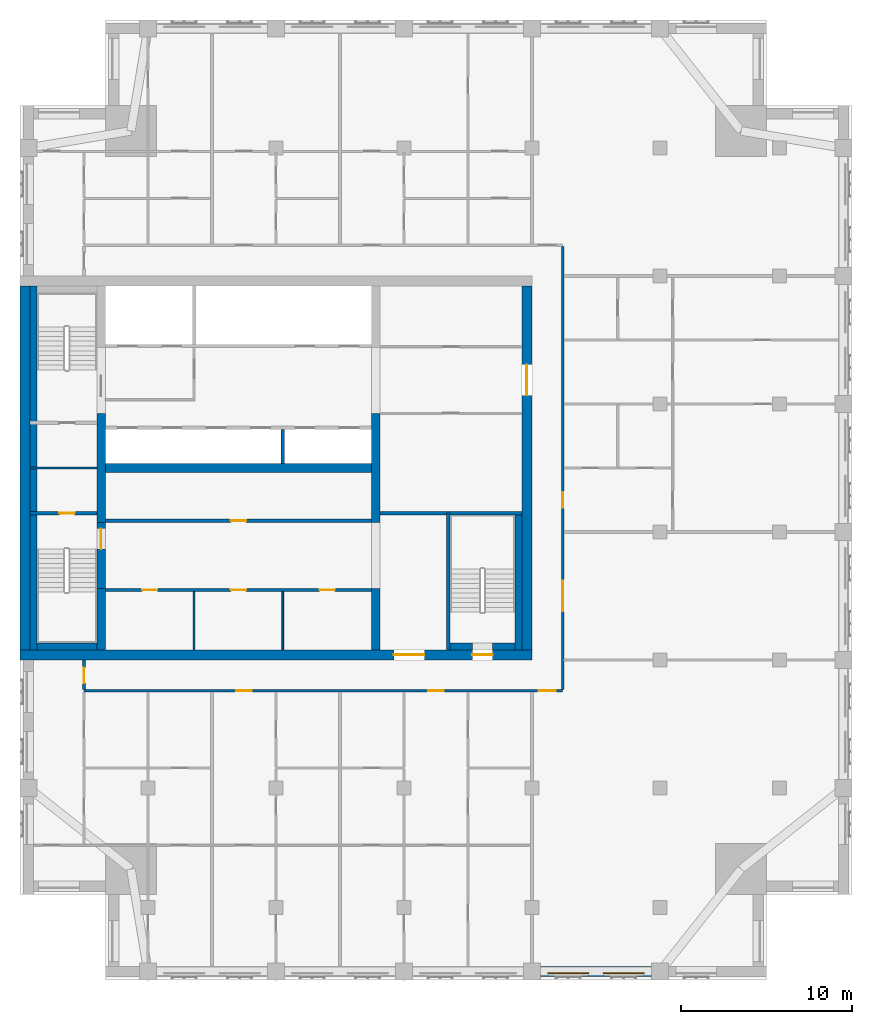
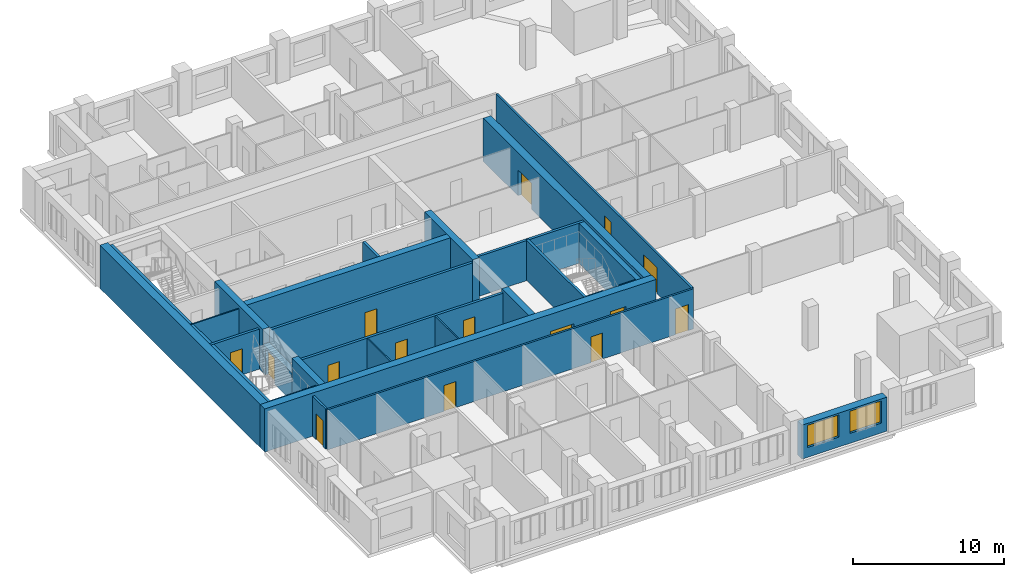
# One storey, part 4 of 10: 27 walls, 15 doors, 2 windows, 17 openings.
"""IFC4 building model written with IfcOpenShell, lengths in metres."""

import ifcopenshell
import ifcopenshell.guid

model = None  # the IFC model being written
_history = None  # IfcOwnerHistory: only IFC2X3 demands one
_inside = {}  # id of a spatial element -> (the spatial element, [elements in it])
_under = {}  # id of a project, library or spatial element -> (it, [spatial elements below it])
_declared = {}  # id of a project -> (the project, [libraries it declares])
_typed = {}  # id of a type object -> (the type object, [elements of that type])
_made_of = {}  # id of a material, layer set ... -> (it, [elements and type objects made of it])


def new_model(schema):
    """Start an empty IFC model of exactly this schema.

    Asked for "IFC4X3", IfcOpenShell would pick the latest addendum, in which some entities
    have other attributes; the version numbers below select the first issue.
    IFC2X3 requires an IfcOwnerHistory on every rooted entity: one is made here for all.
    """
    global model, _history
    if schema == "IFC4X3":
        model = ifcopenshell.file(schema_version=(4, 3, 0, 0))
    else:
        model = ifcopenshell.file(schema=schema)
    _inside.clear()
    _under.clear()
    _declared.clear()
    _typed.clear()
    _made_of.clear()
    _history = None
    if model.schema == "IFC2X3":
        org = make("IfcOrganization", Name="unknown")
        user = make(
            "IfcPersonAndOrganization",
            ThePerson=make("IfcPerson", FamilyName="unknown"),
            TheOrganization=org,
        )
        app = make(
            "IfcApplication",
            ApplicationDeveloper=org,
            Version="unknown",
            ApplicationFullName="unknown",
            ApplicationIdentifier="unknown",
        )
        _history = make(
            "IfcOwnerHistory",
            OwningUser=user,
            OwningApplication=app,
            ChangeAction="ADDED",
            CreationDate=0,
        )
    return model


def make(cls, **values):
    """One entity of the class cls with the attributes given. An attribute that is None is left unset."""
    return model.create_entity(
        cls, **{name: value for name, value in values.items() if value is not None}
    )


def rooted(cls, **values):
    """An entity with a GlobalId (a new one), such as an element, a storey or a relation."""
    return make(cls, GlobalId=ifcopenshell.guid.new(), OwnerHistory=_history, **values)


def si_unit(unit_type, name, prefix=None):
    """IfcSIUnit, for example si_unit("LENGTHUNIT", "METRE", prefix="MILLI")."""
    return make("IfcSIUnit", UnitType=unit_type, Prefix=prefix, Name=name)


def assignment(units):
    """IfcUnitAssignment: the units of a project."""
    return None if units is None else make("IfcUnitAssignment", Units=units)


def point(xyz):
    """IfcCartesianPoint."""
    return None if xyz is None else make("IfcCartesianPoint", Coordinates=xyz)


def direction(xyz):
    """IfcDirection."""
    return None if xyz is None else make("IfcDirection", DirectionRatios=xyz)


def frame(location, z_axis=None, x_axis=None):
    """IfcAxis2Placement3D, a coordinate frame: its origin and axes. An axis left out is left unset."""
    return make(
        "IfcAxis2Placement3D",
        Location=point(location),
        Axis=direction(z_axis),
        RefDirection=direction(x_axis),
    )


def frame_2d(location, x_axis=None):
    """IfcAxis2Placement2D, a coordinate frame in the plane: its origin and x axis."""
    return make(
        "IfcAxis2Placement2D", Location=point(location), RefDirection=direction(x_axis)
    )


def origin():
    """The frame at (0, 0, 0) with its axes left unset."""
    return frame((0.0, 0.0, 0.0))


def place(relative_to, where):
    """IfcLocalPlacement: puts the frame where relative to a parent placement (None: the world)."""
    return make(
        "IfcLocalPlacement", PlacementRelTo=relative_to, RelativePlacement=where
    )


def context(
    kind, dimensions, precision=None, world=None, true_north=None, identifier=None
):
    """IfcGeometricRepresentationContext, for example the 3D "Model" context."""
    return make(
        "IfcGeometricRepresentationContext",
        ContextIdentifier=identifier,
        ContextType=kind,
        CoordinateSpaceDimension=dimensions,
        Precision=precision,
        WorldCoordinateSystem=world,
        TrueNorth=true_north,
    )


def subcontext(parent, identifier, kind, view, scale=None):
    """IfcGeometricRepresentationSubContext, for example "Body" below "Model"."""
    return make(
        "IfcGeometricRepresentationSubContext",
        ContextIdentifier=identifier,
        ContextType=kind,
        ParentContext=parent,
        TargetScale=scale,
        TargetView=view,
    )


def project(units=None, contexts=None):
    """IfcProject with its units and contexts."""
    return rooted(
        "IfcProject",
        Name="project",
        RepresentationContexts=contexts,
        UnitsInContext=assignment(units),
    )


def spatial(cls, under=None, at=None, **own):
    """A site, building, storey or space (cls), placed at a placement, below another one or the project."""
    s = rooted(cls, ObjectPlacement=at, **own)
    if under is not None:
        _under.setdefault(under.id(), (under, []))[1].append(s)
    return s


def profile(cls, at=None, kind="AREA", **sizes):
    """A parametric profile (cls). Its sizes go by their IFC names, for example OverallWidth=200.0."""
    return make(cls, ProfileType=kind, Position=at, **sizes)


def rectangle(**sizes):
    """IfcRectangleProfileDef."""
    return profile("IfcRectangleProfileDef", **sizes)


def extrude(swept, where, along, depth):
    """IfcExtrudedAreaSolid: the profile swept, set in the frame where, extruded along a direction by depth."""
    return make(
        "IfcExtrudedAreaSolid",
        SweptArea=swept,
        Position=where,
        ExtrudedDirection=direction(along),
        Depth=depth,
    )


def shape(context_of_items, identifier, shape_type, items):
    """IfcShapeRepresentation: the items that make up one representation, for example the "Body"."""
    return make(
        "IfcShapeRepresentation",
        ContextOfItems=context_of_items,
        RepresentationIdentifier=identifier,
        RepresentationType=shape_type,
        Items=items,
    )


def material(Name=None, Category=None):
    """IfcMaterial."""
    return make("IfcMaterial", Name=Name, Category=Category)


def layer(
    of_material, thickness, ventilated=None, Name=None, Category=None, Priority=None
):
    """IfcMaterialLayer: one layer of a wall or slab, of a material (None: an air gap)."""
    return make(
        "IfcMaterialLayer",
        Material=of_material,
        LayerThickness=thickness,
        IsVentilated=ventilated,
        Name=Name,
        Category=Category,
        Priority=Priority,
    )


def layer_set(layers, Name=None):
    """IfcMaterialLayerSet."""
    return make("IfcMaterialLayerSet", MaterialLayers=layers, LayerSetName=Name)


def made_of(thing, what):
    """Note that an element or type object is made of a material, layer set ...; save() writes the relation."""
    if what is not None:
        _made_of.setdefault(what.id(), (what, []))[1].append(thing)
    return thing


def type_object(cls, material=None, **own):
    """A type object (cls), such as IfcWallType, which elements share."""
    return made_of(rooted(cls, **own), material)


def element(
    cls,
    number,
    at=None,
    inside=None,
    cuts=None,
    type_object=None,
    material=None,
    context=None,
    identifier="Body",
    shape_type=None,
    held_by="IfcProductDefinitionShape",
    body=None,
    shapes=None,
    **own,
):
    """One element of the class cls, such as IfcWall. Its Tag is "e" and its number.

    at: its placement. inside: the storey or other place that contains it. cuts: it is an
    opening in that element (IfcRelVoidsElement). A single representation is given by context,
    identifier, shape_type and body (its items); several are given by shapes. held_by: the class
    of the entity that holds the representations. save() writes the other relations.
    """
    e = rooted(cls, Tag="e%d" % number, ObjectPlacement=at, **own)
    if body is not None:
        shapes = [shape(context, identifier, shape_type, body)]
    if shapes is not None:
        e.Representation = make(held_by, Representations=shapes)
    if inside is not None:
        _inside.setdefault(inside.id(), (inside, []))[1].append(e)
    if cuts is not None:
        rooted(
            "IfcRelVoidsElement", RelatingBuildingElement=cuts, RelatedOpeningElement=e
        )
    if type_object is not None:
        _typed.setdefault(type_object.id(), (type_object, []))[1].append(e)
    return made_of(e, material)


def fill(opening, filler):
    """IfcRelFillsElement: the door or window that sits in an opening."""
    return rooted(
        "IfcRelFillsElement",
        RelatingOpeningElement=opening,
        RelatedBuildingElement=filler,
    )


def aggregate(whole, parts):
    """IfcRelAggregates: a whole, such as a stair, and the parts it consists of."""
    return rooted("IfcRelAggregates", RelatingObject=whole, RelatedObjects=parts)


def save(model, path):
    """Write the relations noted so far, then the file.

    IfcRelAggregates (storeys below a building ...), IfcRelContainedInSpatialStructure (elements
    in a storey), IfcRelDefinesByType, IfcRelAssociatesMaterial and IfcRelDeclares: one each for
    every whole, place, type object, material and project.
    """
    for whole, parts in _under.values():
        aggregate(whole, parts)
    for where, things in _inside.values():
        rooted(
            "IfcRelContainedInSpatialStructure",
            RelatedElements=things,
            RelatingStructure=where,
        )
    for kind, things in _typed.values():
        rooted("IfcRelDefinesByType", RelatedObjects=things, RelatingType=kind)
    for what, things in _made_of.values():
        rooted("IfcRelAssociatesMaterial", RelatedObjects=things, RelatingMaterial=what)
    for by, libraries in _declared.values():
        rooted("IfcRelDeclares", RelatingContext=by, RelatedDefinitions=libraries)
    model.write(path)


model = new_model("IFC4")

# Units and contexts
model_context = context("Model", 3, precision=1e-05, world=origin(), true_north=direction((0.0, 1.0)))
body_context = subcontext(model_context, "Body", "Model", "MODEL_VIEW")
ifc_project = project(units=[si_unit("LENGTHUNIT", "METRE"), si_unit("AREAUNIT", "SQUARE_METRE"), si_unit("VOLUMEUNIT", "CUBIC_METRE"), si_unit("PLANEANGLEUNIT", "RADIAN"), si_unit("MASSUNIT", "GRAM", prefix="KILO")], contexts=[model_context])

# Site, building, storey
site_placement = place(None, origin())
site = spatial("IfcSite", under=ifc_project, at=site_placement, CompositionType="ELEMENT")
building_placement = place(site_placement, origin())
building = spatial("IfcBuilding", under=site, at=building_placement, Name="Tamorin Gate", CompositionType="ELEMENT")
storey_placement = place(building_placement, frame((0.0, 0.0, 223.199951171875)))
storey = spatial("IfcBuildingStorey", under=building, at=storey_placement, Name="L55", CompositionType="ELEMENT", Elevation=223.199951171875)

# Wall, openings, windows
ifc_material_1 = material(Name="Precast concrete C40/50", Category="concrete")
ifc_layer_1 = layer(ifc_material_1, 0.60009765625)
ifc_layer_set_1 = layer_set([ifc_layer_1], Name="Precast concrete C40/50")
wall_type_1 = type_object("IfcWallType", Name="Board-marked concrete facade panel 600", PredefinedType="SOLIDWALL", material=ifc_layer_set_1)
wall_1_placement = place(storey_placement, frame((60.5, 41.75, 0.0), z_axis=(0.0, 0.0, 1.0), x_axis=(1.0, 0.0, 0.0)))
wall_1 = element("IfcWall", 1, at=wall_1_placement, inside=storey, type_object=wall_type_1, Name="Facade panel", PredefinedType="SOLIDWALL", context=body_context, shape_type="SweptSolid", body=[
    extrude(rectangle(XDim=6.5, YDim=0.60009765625, at=frame_2d((3.25, 0.0))), origin(), (0.0, 0.0, 1.0), 2.75),
])
opening_1_placement = place(wall_1_placement, frame((0.425048828125, 0.0, 0.800048828125)))
opening_1 = element("IfcOpeningElement", 2, at=opening_1_placement, cuts=wall_1, Name="Opening WN1", PredefinedType="OPENING", context=body_context, shape_type="SweptSolid", body=[
    extrude(rectangle(XDim=2.39990234375, YDim=1.800048828125, at=frame_2d((1.199951171875, 0.89990234375))), frame((0.0, 0.31005859375, 0.0), z_axis=(0.0, -1.0, 0.0), x_axis=(1.0, 0.0, 0.0)), (0.0, 0.0, 1.0), 0.6201171875),
])
opening_2_placement = place(wall_1_placement, frame((3.675048828125, 0.0, 0.800048828125)))
opening_2 = element("IfcOpeningElement", 3, at=opening_2_placement, cuts=wall_1, Name="Opening WN1", PredefinedType="OPENING", context=body_context, shape_type="SweptSolid", body=[
    extrude(rectangle(XDim=2.39990234375, YDim=1.800048828125, at=frame_2d((1.199951171875, 0.89990234375))), frame((0.0, 0.31005859375, 0.0), z_axis=(0.0, -1.0, 0.0), x_axis=(1.0, 0.0, 0.0)), (0.0, 0.0, 1.0), 0.6201171875),
])
ifc_material_2 = material(Name="Clear glass in aluminium frame", Category="aluminium")
window_type = type_object("IfcWindowType", Name="Deep-set window 2400x1800", PartitioningType="SINGLE_PANEL", PredefinedType="WINDOW", material=ifc_material_2)
window_1_placement = place(opening_1_placement, origin())
window_1 = element("IfcWindow", 4, at=window_1_placement, inside=storey, type_object=window_type, Name="Deep-set window", OverallHeight=1.800048828125, OverallWidth=2.39990234375, PartitioningType="SINGLE_PANEL", PredefinedType="WINDOW", context=body_context, shape_type="SweptSolid", body=[
    extrude(rectangle(XDim=2.39990234375, YDim=1.800048828125, at=frame_2d((1.199951171875, 0.89990234375))), frame((0.0, -0.070068359375, 0.0), z_axis=(0.0, -1.0, 0.0), x_axis=(1.0, 0.0, 0.0)), (0.0, 0.0, 1.0), 0.06005859375),
])
fill(opening_1, window_1)
window_2_placement = place(opening_2_placement, origin())
window_2 = element("IfcWindow", 5, at=window_2_placement, inside=storey, type_object=window_type, Name="Deep-set window", OverallHeight=1.800048828125, OverallWidth=2.39990234375, PartitioningType="SINGLE_PANEL", PredefinedType="WINDOW", context=body_context, shape_type="SweptSolid", body=[
    extrude(rectangle(XDim=2.39990234375, YDim=1.800048828125, at=frame_2d((1.199951171875, 0.89990234375))), frame((0.0, -0.070068359375, 0.0), z_axis=(0.0, -1.0, 0.0), x_axis=(1.0, 0.0, 0.0)), (0.0, 0.0, 1.0), 0.06005859375),
])
fill(opening_2, window_2)

# Wall, openings, doors
ifc_material_3 = material(Name="Gypsum board partition")
ifc_layer_2 = layer(ifc_material_3, 0.14990234375)
ifc_layer_set_2 = layer_set([ifc_layer_2], Name="Corridor wall 150")
wall_type_2 = type_object("IfcWallType", Name="Corridor wall 150", PredefinedType="PARTITIONING", material=ifc_layer_set_2)
wall_2_placement = place(storey_placement, frame((33.75, 58.199951171875, 0.0), z_axis=(0.0, 0.0, 1.0), x_axis=(1.0, 0.0, 0.0)))
wall_2 = element("IfcWall", 6, at=wall_2_placement, inside=storey, type_object=wall_type_2, Name="Corridor wall 150", PredefinedType="PARTITIONING", context=body_context, shape_type="SweptSolid", body=[
    extrude(rectangle(XDim=28.050048828125, YDim=0.14990234375, at=frame_2d((14.02490234375, 0.0))), origin(), (0.0, 0.0, 1.0), 3.25),
])
opening_3_placement = place(wall_2_placement, frame((8.925048828125, 0.0, 0.0)))
opening_3 = element("IfcOpeningElement", 7, at=opening_3_placement, cuts=wall_2, Name="Opening DR5008", PredefinedType="OPENING", context=body_context, shape_type="SweptSolid", body=[
    extrude(rectangle(XDim=0.89990234375, YDim=2.10009765625, at=frame_2d((0.449951171875, 1.050048828125))), frame((0.0, 0.0849609375, 0.0), z_axis=(0.0, -1.0, 0.0), x_axis=(1.0, 0.0, 0.0)), (0.0, 0.0, 1.0), 0.169921875),
])
opening_4_placement = place(wall_2_placement, frame((20.175048828125, 0.0, 0.0)))
opening_4 = element("IfcOpeningElement", 8, at=opening_4_placement, cuts=wall_2, Name="Opening DR5015", PredefinedType="OPENING", context=body_context, shape_type="SweptSolid", body=[
    extrude(rectangle(XDim=0.89990234375, YDim=2.10009765625, at=frame_2d((0.449951171875, 1.050048828125))), frame((0.0, 0.0849609375, 0.0), z_axis=(0.0, -1.0, 0.0), x_axis=(1.0, 0.0, 0.0)), (0.0, 0.0, 1.0), 0.169921875),
])
opening_5_placement = place(wall_2_placement, frame((26.64990234375, 0.0, 0.0)))
opening_5 = element("IfcOpeningElement", 9, at=opening_5_placement, cuts=wall_2, Name="Opening DR5021", PredefinedType="OPENING", context=body_context, shape_type="SweptSolid", body=[
    extrude(rectangle(XDim=1.0, YDim=2.10009765625, at=frame_2d((0.5, 1.050048828125))), frame((0.0, 0.0849609375, 0.0), z_axis=(0.0, -1.0, 0.0), x_axis=(1.0, 0.0, 0.0)), (0.0, 0.0, 1.0), 0.169921875),
])
ifc_material_4 = material(Name="Timber door leaf", Category="wood")
door_type_1 = type_object("IfcDoorType", Name="Door 1000 x 2100 FD30S", OperationType="NOTDEFINED", PredefinedType="DOOR", material=ifc_material_4)
door_1_placement = place(opening_5_placement, origin())
door_1 = element("IfcDoor", 10, at=door_1_placement, inside=storey, type_object=door_type_1, Name="Door DR5021", OperationType="SINGLE_SWING_RIGHT", OverallHeight=2.10009765625, OverallWidth=1.0, PredefinedType="DOOR", context=body_context, shape_type="SweptSolid", body=[
    extrude(rectangle(XDim=1.0, YDim=2.10009765625, at=frame_2d((0.5, 1.050048828125))), frame((0.0, 0.02490234375, 0.0), z_axis=(0.0, -1.0, 0.0), x_axis=(1.0, 0.0, 0.0)), (0.0, 0.0, 1.0), 0.050048828125),
])
fill(opening_5, door_1)
door_type_2 = type_object("IfcDoorType", Name="Door 900 x 2100 FD30S", OperationType="NOTDEFINED", PredefinedType="DOOR", material=ifc_material_4)
door_2_placement = place(opening_3_placement, origin())
door_2 = element("IfcDoor", 11, at=door_2_placement, inside=storey, type_object=door_type_2, Name="Door DR5008", OperationType="SINGLE_SWING_RIGHT", OverallHeight=2.10009765625, OverallWidth=0.89990234375, PredefinedType="DOOR", context=body_context, shape_type="SweptSolid", body=[
    extrude(rectangle(XDim=0.89990234375, YDim=2.10009765625, at=frame_2d((0.449951171875, 1.050048828125))), frame((0.0, 0.02490234375, 0.0), z_axis=(0.0, -1.0, 0.0), x_axis=(1.0, 0.0, 0.0)), (0.0, 0.0, 1.0), 0.050048828125),
])
fill(opening_3, door_2)
door_3_placement = place(opening_4_placement, origin())
door_3 = element("IfcDoor", 12, at=door_3_placement, inside=storey, type_object=door_type_2, Name="Door DR5015", OperationType="SINGLE_SWING_RIGHT", OverallHeight=2.10009765625, OverallWidth=0.89990234375, PredefinedType="DOOR", context=body_context, shape_type="SweptSolid", body=[
    extrude(rectangle(XDim=0.89990234375, YDim=2.10009765625, at=frame_2d((0.449951171875, 1.050048828125))), frame((0.0, 0.02490234375, 0.0), z_axis=(0.0, -1.0, 0.0), x_axis=(1.0, 0.0, 0.0)), (0.0, 0.0, 1.0), 0.050048828125),
])
fill(opening_4, door_3)

# Wall, opening, door
wall_3_placement = place(storey_placement, frame((33.75, 58.27490234375, 0.0), z_axis=(0.0, 0.0, 1.0), x_axis=(0.0, 1.0, 0.0)))
wall_3 = element("IfcWall", 13, at=wall_3_placement, inside=storey, type_object=wall_type_2, Name="Corridor wall 150", PredefinedType="PARTITIONING", context=body_context, shape_type="SweptSolid", body=[
    extrude(rectangle(XDim=1.72509765625, YDim=0.14990234375, at=frame_2d((0.862548828125, 0.0))), origin(), (0.0, 0.0, 1.0), 3.25),
])
opening_6_placement = place(wall_3_placement, frame((0.375, 0.0, 0.0)))
opening_6 = element("IfcOpeningElement", 14, at=opening_6_placement, cuts=wall_3, Name="Opening DR5001", PredefinedType="OPENING", context=body_context, shape_type="SweptSolid", body=[
    extrude(rectangle(XDim=0.89990234375, YDim=2.10009765625, at=frame_2d((0.449951171875, 1.050048828125))), frame((0.0, 0.0849609375, 0.0), z_axis=(0.0, -1.0, 0.0), x_axis=(1.0, 0.0, 0.0)), (0.0, 0.0, 1.0), 0.169921875),
])
door_4_placement = place(opening_6_placement, origin())
door_4 = element("IfcDoor", 15, at=door_4_placement, inside=storey, type_object=door_type_2, Name="Door DR5001", OperationType="SINGLE_SWING_RIGHT", OverallHeight=2.10009765625, OverallWidth=0.89990234375, PredefinedType="DOOR", context=body_context, shape_type="SweptSolid", body=[
    extrude(rectangle(XDim=0.89990234375, YDim=2.10009765625, at=frame_2d((0.449951171875, 1.050048828125))), frame((0.0, 0.02490234375, 0.0), z_axis=(0.0, -1.0, 0.0), x_axis=(1.0, 0.0, 0.0)), (0.0, 0.0, 1.0), 0.050048828125),
])
fill(opening_6, door_4)

# Wall, openings, doors
wall_4_placement = place(storey_placement, frame((61.800048828125, 58.27490234375, 0.0), z_axis=(0.0, 0.0, 1.0), x_axis=(0.0, 1.0, 0.0)))
wall_4 = element("IfcWall", 16, at=wall_4_placement, inside=storey, type_object=wall_type_2, Name="Corridor wall 150", PredefinedType="PARTITIONING", context=body_context, shape_type="SweptSolid", body=[
    extrude(rectangle(XDim=25.9501953125, YDim=0.14990234375, at=frame_2d((12.97509765625, 0.0))), origin(), (0.0, 0.0, 1.0), 3.25),
])
opening_7_placement = place(wall_4_placement, frame((4.574951171875, 0.0, 0.0)))
opening_7 = element("IfcOpeningElement", 17, at=opening_7_placement, cuts=wall_4, Name="Opening DR5041", PredefinedType="OPENING", context=body_context, shape_type="SweptSolid", body=[
    extrude(rectangle(XDim=1.800048828125, YDim=2.10009765625, at=frame_2d((0.89990234375, 1.050048828125))), frame((0.0, 0.0849609375, 0.0), z_axis=(0.0, -1.0, 0.0), x_axis=(1.0, 0.0, 0.0)), (0.0, 0.0, 1.0), 0.169921875),
])
opening_8_placement = place(wall_4_placement, frame((10.64990234375, 0.0, 0.0)))
opening_8 = element("IfcOpeningElement", 18, at=opening_8_placement, cuts=wall_4, Name="Opening DR5042", PredefinedType="OPENING", context=body_context, shape_type="SweptSolid", body=[
    extrude(rectangle(XDim=0.89990234375, YDim=2.10009765625, at=frame_2d((0.449951171875, 1.050048828125))), frame((0.0, 0.0849609375, 0.0), z_axis=(0.0, -1.0, 0.0), x_axis=(1.0, 0.0, 0.0)), (0.0, 0.0, 1.0), 0.169921875),
])
door_type_3 = type_object("IfcDoorType", Name="Door 1800 x 2100 FD30S", OperationType="DOUBLE_DOOR_SINGLE_SWING", PredefinedType="DOOR", material=ifc_material_4)
door_5_placement = place(opening_7_placement, origin())
door_5 = element("IfcDoor", 19, at=door_5_placement, inside=storey, type_object=door_type_3, Name="Door DR5041", OperationType="DOUBLE_DOOR_SINGLE_SWING", OverallHeight=2.10009765625, OverallWidth=1.800048828125, PredefinedType="DOOR", context=body_context, shape_type="SweptSolid", body=[
    extrude(rectangle(XDim=1.800048828125, YDim=2.10009765625, at=frame_2d((0.89990234375, 1.050048828125))), frame((0.0, 0.02490234375, 0.0), z_axis=(0.0, -1.0, 0.0), x_axis=(1.0, 0.0, 0.0)), (0.0, 0.0, 1.0), 0.050048828125),
])
fill(opening_7, door_5)
door_6_placement = place(opening_8_placement, origin())
door_6 = element("IfcDoor", 20, at=door_6_placement, inside=storey, type_object=door_type_2, Name="Door DR5042", OperationType="SINGLE_SWING_RIGHT", OverallHeight=2.10009765625, OverallWidth=0.89990234375, PredefinedType="DOOR", context=body_context, shape_type="SweptSolid", body=[
    extrude(rectangle(XDim=0.89990234375, YDim=2.10009765625, at=frame_2d((0.449951171875, 1.050048828125))), frame((0.0, 0.02490234375, 0.0), z_axis=(0.0, -1.0, 0.0), x_axis=(1.0, 0.0, 0.0)), (0.0, 0.0, 1.0), 0.050048828125),
])
fill(opening_8, door_6)

# Walls
ifc_material_5 = material(Name="Concrete C32/40", Category="concrete")
ifc_layer_3 = layer(ifc_material_5, 0.199951171875)
ifc_layer_set_3 = layer_set([ifc_layer_3], Name="Lift shaft wall 200 EI 120")
wall_type_3 = type_object("IfcWallType", Name="Lift shaft wall 200 EI 120", PredefinedType="SOLIDWALL", material=ifc_layer_set_3)
wall_5_placement = place(storey_placement, frame((45.39990234375, 71.5, 0.0), z_axis=(0.0, 0.0, 1.0), x_axis=(0.0, 1.0, 0.0)))
element("IfcWall", 21, at=wall_5_placement, inside=storey, type_object=wall_type_3, Name="Lift shaft wall", PredefinedType="SOLIDWALL", context=body_context, shape_type="SweptSolid", body=[
    extrude(rectangle(XDim=2.0, YDim=0.199951171875, at=frame_2d((1.0, 0.0))), origin(), (0.0, 0.0, 1.0), 3.5),
])
ifc_material_6 = material(Name="Concrete C50/60", Category="concrete")
ifc_layer_4 = layer(ifc_material_6, 0.5)
ifc_layer_set_4 = layer_set([ifc_layer_4], Name="RC core internal wall 500 C50/60")
wall_type_4 = type_object("IfcWallType", Name="RC core internal wall 500 C50/60", PredefinedType="SHEAR", material=ifc_layer_set_4)
wall_6_placement = place(storey_placement, frame((35.0, 71.25, 0.0), z_axis=(0.0, 0.0, 1.0), x_axis=(1.0, 0.0, 0.0)))
element("IfcWall", 22, at=wall_6_placement, inside=storey, type_object=wall_type_4, Name="Core spine wall L55", PredefinedType="SHEAR", context=body_context, shape_type="SweptSolid", body=[
    extrude(rectangle(XDim=15.60009765625, YDim=0.5, at=frame_2d((7.800048828125, 0.0))), origin(), (0.0, 0.0, 1.0), 3.5),
])
wall_7_placement = place(storey_placement, frame((34.75, 60.60009765625, 0.0), z_axis=(0.0, 0.0, 1.0), x_axis=(0.0, 1.0, 0.0)))
element("IfcWall", 23, at=wall_7_placement, inside=storey, type_object=wall_type_4, Name="Core cross wall L55", PredefinedType="SHEAR", context=body_context, shape_type="SweptSolid", body=[
    extrude(rectangle(XDim=3.599853515625, YDim=0.5, at=frame_2d((1.7998046875, 0.0))), origin(), (0.0, 0.0, 1.0), 3.5),
])
wall_8_placement = place(storey_placement, frame((34.75, 68.050048828125, 0.0), z_axis=(0.0, 0.0, 1.0), x_axis=(0.0, 1.0, 0.0)))
element("IfcWall", 24, at=wall_8_placement, inside=storey, type_object=wall_type_4, Name="Core cross wall L55", PredefinedType="SHEAR", context=body_context, shape_type="SweptSolid", body=[
    extrude(rectangle(XDim=6.39990234375, YDim=0.5, at=frame_2d((3.199951171875, 0.0))), origin(), (0.0, 0.0, 1.0), 3.5),
])
wall_9_placement = place(storey_placement, frame((50.85009765625, 60.60009765625, 0.0), z_axis=(0.0, 0.0, 1.0), x_axis=(0.0, 1.0, 0.0)))
element("IfcWall", 25, at=wall_9_placement, inside=storey, type_object=wall_type_4, Name="Core cross wall L55", PredefinedType="SHEAR", context=body_context, shape_type="SweptSolid", body=[
    extrude(rectangle(XDim=3.599853515625, YDim=0.5, at=frame_2d((1.7998046875, 0.0))), origin(), (0.0, 0.0, 1.0), 3.5),
])
wall_10_placement = place(storey_placement, frame((50.85009765625, 68.050048828125, 0.0), z_axis=(0.0, 0.0, 1.0), x_axis=(0.0, 1.0, 0.0)))
element("IfcWall", 26, at=wall_10_placement, inside=storey, type_object=wall_type_4, Name="Core cross wall L55", PredefinedType="SHEAR", context=body_context, shape_type="SweptSolid", body=[
    extrude(rectangle(XDim=6.39990234375, YDim=0.5, at=frame_2d((3.199951171875, 0.0))), origin(), (0.0, 0.0, 1.0), 3.5),
])

# Wall, openings, doors
ifc_layer_5 = layer(ifc_material_6, 0.60009765625)
ifc_layer_set_5 = layer_set([ifc_layer_5], Name="RC core wall 600 C50/60")
wall_type_5 = type_object("IfcWallType", Name="RC core wall 600 C50/60", PredefinedType="SHEAR", material=ifc_layer_set_5)
wall_11_placement = place(storey_placement, frame((30.0, 60.300048828125, 0.0), z_axis=(0.0, 0.0, 1.0), x_axis=(1.0, 0.0, 0.0)))
wall_11 = element("IfcWall", 27, at=wall_11_placement, inside=storey, type_object=wall_type_5, Name="Core wall L55", PredefinedType="SHEAR", context=body_context, shape_type="SweptSolid", body=[
    extrude(rectangle(XDim=30.0, YDim=0.60009765625, at=frame_2d((15.0, 0.0))), origin(), (0.0, 0.0, 1.0), 3.5),
])
opening_9_placement = place(wall_11_placement, frame((21.89990234375, 0.0, 0.0)))
opening_9 = element("IfcOpeningElement", 28, at=opening_9_placement, cuts=wall_11, Name="Opening DE1", PredefinedType="OPENING", context=body_context, shape_type="SweptSolid", body=[
    extrude(rectangle(XDim=1.800048828125, YDim=2.10009765625, at=frame_2d((0.89990234375, 1.050048828125))), frame((0.0, 0.31005859375, 0.0), z_axis=(0.0, -1.0, 0.0), x_axis=(1.0, 0.0, 0.0)), (0.0, 0.0, 1.0), 0.6201171875),
])
opening_10_placement = place(wall_11_placement, frame((26.5, 0.0, 0.0)))
opening_10 = element("IfcOpeningElement", 29, at=opening_10_placement, cuts=wall_11, Name="Opening DS1", PredefinedType="OPENING", context=body_context, shape_type="SweptSolid", body=[
    extrude(rectangle(XDim=1.199951171875, YDim=2.10009765625, at=frame_2d((0.60009765625, 1.050048828125))), frame((0.0, 0.31005859375, 0.0), z_axis=(0.0, -1.0, 0.0), x_axis=(1.0, 0.0, 0.0)), (0.0, 0.0, 1.0), 0.6201171875),
])
ifc_material_7 = material(Name="Steel fire door", Category="steel")
door_type_4 = type_object("IfcDoorType", Name="Lobby exit double door 1800 x 2100 EI 60", OperationType="DOUBLE_DOOR_SINGLE_SWING", PredefinedType="DOOR", material=ifc_material_7)
door_7_placement = place(opening_9_placement, origin())
door_7 = element("IfcDoor", 30, at=door_7_placement, inside=storey, type_object=door_type_4, Name="Lift lobby A exit door", OperationType="DOUBLE_DOOR_SINGLE_SWING", OverallHeight=2.10009765625, OverallWidth=1.800048828125, PredefinedType="DOOR", context=body_context, shape_type="SweptSolid", body=[
    extrude(rectangle(XDim=1.800048828125, YDim=2.10009765625, at=frame_2d((0.89990234375, 1.050048828125))), frame((0.0, 0.02490234375, 0.0), z_axis=(0.0, -1.0, 0.0), x_axis=(1.0, 0.0, 0.0)), (0.0, 0.0, 1.0), 0.050048828125),
])
fill(opening_9, door_7)
door_type_5 = type_object("IfcDoorType", Name="Stair door 1200 x 2100 EI 90", OperationType="SINGLE_SWING_LEFT", PredefinedType="DOOR", material=ifc_material_7)
door_8_placement = place(opening_10_placement, origin())
door_8 = element("IfcDoor", 31, at=door_8_placement, inside=storey, type_object=door_type_5, Name="ST3 door", OperationType="SINGLE_SWING_LEFT", OverallHeight=2.10009765625, OverallWidth=1.199951171875, PredefinedType="DOOR", context=body_context, shape_type="SweptSolid", body=[
    extrude(rectangle(XDim=1.199951171875, YDim=2.10009765625, at=frame_2d((0.60009765625, 1.050048828125))), frame((0.0, 0.02490234375, 0.0), z_axis=(0.0, -1.0, 0.0), x_axis=(1.0, 0.0, 0.0)), (0.0, 0.0, 1.0), 0.050048828125),
])
fill(opening_10, door_8)

# Wall
wall_12_placement = place(storey_placement, frame((30.300048828125, 60.60009765625, 0.0), z_axis=(0.0, 0.0, 1.0), x_axis=(0.0, 1.0, 0.0)))
element("IfcWall", 32, at=wall_12_placement, inside=storey, type_object=wall_type_5, Name="Core wall L55", PredefinedType="SHEAR", context=body_context, shape_type="SweptSolid", body=[
    extrude(rectangle(XDim=21.2998046875, YDim=0.60009765625, at=frame_2d((10.64990234375, 0.0))), origin(), (0.0, 0.0, 1.0), 3.5),
])

# Wall, opening, door
wall_13_placement = place(storey_placement, frame((59.699951171875, 60.60009765625, 0.0), z_axis=(0.0, 0.0, 1.0), x_axis=(0.0, 1.0, 0.0)))
wall_13 = element("IfcWall", 33, at=wall_13_placement, inside=storey, type_object=wall_type_5, Name="Core wall L55", PredefinedType="SHEAR", context=body_context, shape_type="SweptSolid", body=[
    extrude(rectangle(XDim=21.2998046875, YDim=0.60009765625, at=frame_2d((10.64990234375, 0.0))), origin(), (0.0, 0.0, 1.0), 3.5),
])
opening_11_placement = place(wall_13_placement, frame((14.89990234375, 0.0, 0.0)))
opening_11 = element("IfcOpeningElement", 34, at=opening_11_placement, cuts=wall_13, Name="Opening DE1", PredefinedType="OPENING", context=body_context, shape_type="SweptSolid", body=[
    extrude(rectangle(XDim=1.800048828125, YDim=2.10009765625, at=frame_2d((0.89990234375, 1.050048828125))), frame((0.0, 0.31005859375, 0.0), z_axis=(0.0, -1.0, 0.0), x_axis=(1.0, 0.0, 0.0)), (0.0, 0.0, 1.0), 0.6201171875),
])
door_9_placement = place(opening_11_placement, origin())
door_9 = element("IfcDoor", 35, at=door_9_placement, inside=storey, type_object=door_type_4, Name="Lift lobby B exit door", OperationType="DOUBLE_DOOR_SINGLE_SWING", OverallHeight=2.10009765625, OverallWidth=1.800048828125, PredefinedType="DOOR", context=body_context, shape_type="SweptSolid", body=[
    extrude(rectangle(XDim=1.800048828125, YDim=2.10009765625, at=frame_2d((0.89990234375, 1.050048828125))), frame((0.0, 0.02490234375, 0.0), z_axis=(0.0, -1.0, 0.0), x_axis=(1.0, 0.0, 0.0)), (0.0, 0.0, 1.0), 0.050048828125),
])
fill(opening_11, door_9)

# Wall
ifc_material_8 = material(Name="Fire-rated gypsum board partition")
ifc_layer_6 = layer(ifc_material_8, 0.10009765625)
ifc_layer_set_6 = layer_set([ifc_layer_6], Name="Riser partition 100 EI 120")
wall_type_6 = type_object("IfcWallType", Name="Riser partition 100 EI 120", PredefinedType="PARTITIONING", material=ifc_layer_set_6)
wall_14_placement = place(storey_placement, frame((30.60009765625, 71.25, 0.0), z_axis=(0.0, 0.0, 1.0), x_axis=(1.0, 0.0, 0.0)))
element("IfcWall", 36, at=wall_14_placement, inside=storey, type_object=wall_type_6, Name="Riser partition", PredefinedType="PARTITIONING", context=body_context, shape_type="SweptSolid", body=[
    extrude(rectangle(XDim=3.89990234375, YDim=0.10009765625, at=frame_2d((1.949951171875, 0.0))), origin(), (0.0, 0.0, 1.0), 3.25),
])

# Wall, openings, doors
ifc_layer_7 = layer(ifc_material_3, 0.199951171875)
ifc_layer_set_7 = layer_set([ifc_layer_7], Name="Service room face wall 200 EI 60")
wall_type_7 = type_object("IfcWallType", Name="Service room face wall 200 EI 60", PredefinedType="PARTITIONING", material=ifc_layer_set_7)
wall_15_placement = place(storey_placement, frame((35.0, 64.10009765625, 0.0), z_axis=(0.0, 0.0, 1.0), x_axis=(1.0, 0.0, 0.0)))
wall_15 = element("IfcWall", 37, at=wall_15_placement, inside=storey, type_object=wall_type_7, Name="Service room face wall", PredefinedType="PARTITIONING", context=body_context, shape_type="SweptSolid", body=[
    extrude(rectangle(XDim=15.60009765625, YDim=0.199951171875, at=frame_2d((7.800048828125, 0.0))), origin(), (0.0, 0.0, 1.0), 3.25),
])
opening_12_placement = place(wall_15_placement, frame((2.14990234375, 0.0, 0.0)))
opening_12 = element("IfcOpeningElement", 38, at=opening_12_placement, cuts=wall_15, Name="Opening DK1", PredefinedType="OPENING", context=body_context, shape_type="SweptSolid", body=[
    extrude(rectangle(XDim=0.89990234375, YDim=2.10009765625, at=frame_2d((0.449951171875, 1.050048828125))), frame((0.0, 0.10986328125, 0.0), z_axis=(0.0, -1.0, 0.0), x_axis=(1.0, 0.0, 0.0)), (0.0, 0.0, 1.0), 0.219970703125),
])
opening_13_placement = place(wall_15_placement, frame((7.35009765625, 0.0, 0.0)))
opening_13 = element("IfcOpeningElement", 39, at=opening_13_placement, cuts=wall_15, Name="Opening DK1", PredefinedType="OPENING", context=body_context, shape_type="SweptSolid", body=[
    extrude(rectangle(XDim=0.89990234375, YDim=2.10009765625, at=frame_2d((0.449951171875, 1.050048828125))), frame((0.0, 0.10986328125, 0.0), z_axis=(0.0, -1.0, 0.0), x_axis=(1.0, 0.0, 0.0)), (0.0, 0.0, 1.0), 0.219970703125),
])
opening_14_placement = place(wall_15_placement, frame((12.550048828125, 0.0, 0.0)))
opening_14 = element("IfcOpeningElement", 40, at=opening_14_placement, cuts=wall_15, Name="Opening DK1", PredefinedType="OPENING", context=body_context, shape_type="SweptSolid", body=[
    extrude(rectangle(XDim=0.89990234375, YDim=2.10009765625, at=frame_2d((0.449951171875, 1.050048828125))), frame((0.0, 0.10986328125, 0.0), z_axis=(0.0, -1.0, 0.0), x_axis=(1.0, 0.0, 0.0)), (0.0, 0.0, 1.0), 0.219970703125),
])
ifc_material_9 = material(Name="Timber fire door", Category="wood")
door_type_6 = type_object("IfcDoorType", Name="Service room door 900 x 2100 EI 60", OperationType="SINGLE_SWING_LEFT", PredefinedType="DOOR", material=ifc_material_9)
door_10_placement = place(opening_12_placement, origin())
door_10 = element("IfcDoor", 41, at=door_10_placement, inside=storey, type_object=door_type_6, Name="Door Valet room", OperationType="SINGLE_SWING_LEFT", OverallHeight=2.10009765625, OverallWidth=0.89990234375, PredefinedType="DOOR", context=body_context, shape_type="SweptSolid", body=[
    extrude(rectangle(XDim=0.89990234375, YDim=2.10009765625, at=frame_2d((0.449951171875, 1.050048828125))), frame((0.0, 0.02490234375, 0.0), z_axis=(0.0, -1.0, 0.0), x_axis=(1.0, 0.0, 0.0)), (0.0, 0.0, 1.0), 0.050048828125),
])
fill(opening_12, door_10)
door_11_placement = place(opening_13_placement, origin())
door_11 = element("IfcDoor", 42, at=door_11_placement, inside=storey, type_object=door_type_6, Name="Door Luggage store", OperationType="SINGLE_SWING_RIGHT", OverallHeight=2.10009765625, OverallWidth=0.89990234375, PredefinedType="DOOR", context=body_context, shape_type="SweptSolid", body=[
    extrude(rectangle(XDim=0.89990234375, YDim=2.10009765625, at=frame_2d((0.449951171875, 1.050048828125))), frame((0.0, 0.02490234375, 0.0), z_axis=(0.0, -1.0, 0.0), x_axis=(1.0, 0.0, 0.0)), (0.0, 0.0, 1.0), 0.050048828125),
])
fill(opening_13, door_11)
door_12_placement = place(opening_14_placement, origin())
door_12 = element("IfcDoor", 43, at=door_12_placement, inside=storey, type_object=door_type_6, Name="Door Cleaner's store", OperationType="SINGLE_SWING_LEFT", OverallHeight=2.10009765625, OverallWidth=0.89990234375, PredefinedType="DOOR", context=body_context, shape_type="SweptSolid", body=[
    extrude(rectangle(XDim=0.89990234375, YDim=2.10009765625, at=frame_2d((0.449951171875, 1.050048828125))), frame((0.0, 0.02490234375, 0.0), z_axis=(0.0, -1.0, 0.0), x_axis=(1.0, 0.0, 0.0)), (0.0, 0.0, 1.0), 0.050048828125),
])
fill(opening_14, door_12)

# Wall, opening, door
wall_16_placement = place(storey_placement, frame((35.0, 68.14990234375, 0.0), z_axis=(0.0, 0.0, 1.0), x_axis=(1.0, 0.0, 0.0)))
wall_16 = element("IfcWall", 44, at=wall_16_placement, inside=storey, type_object=wall_type_7, Name="Service room face wall", PredefinedType="PARTITIONING", context=body_context, shape_type="SweptSolid", body=[
    extrude(rectangle(XDim=15.60009765625, YDim=0.199951171875, at=frame_2d((7.800048828125, 0.0))), origin(), (0.0, 0.0, 1.0), 3.25),
])
opening_15_placement = place(wall_16_placement, frame((7.35009765625, 0.0, 0.0)))
opening_15 = element("IfcOpeningElement", 45, at=opening_15_placement, cuts=wall_16, Name="Opening DK1", PredefinedType="OPENING", context=body_context, shape_type="SweptSolid", body=[
    extrude(rectangle(XDim=0.89990234375, YDim=2.10009765625, at=frame_2d((0.449951171875, 1.050048828125))), frame((0.0, 0.10986328125, 0.0), z_axis=(0.0, -1.0, 0.0), x_axis=(1.0, 0.0, 0.0)), (0.0, 0.0, 1.0), 0.219970703125),
])
door_13_placement = place(opening_15_placement, origin())
door_13 = element("IfcDoor", 46, at=door_13_placement, inside=storey, type_object=door_type_6, Name="Door Housekeeping and maintenance store", OperationType="SINGLE_SWING_LEFT", OverallHeight=2.10009765625, OverallWidth=0.89990234375, PredefinedType="DOOR", context=body_context, shape_type="SweptSolid", body=[
    extrude(rectangle(XDim=0.89990234375, YDim=2.10009765625, at=frame_2d((0.449951171875, 1.050048828125))), frame((0.0, 0.02490234375, 0.0), z_axis=(0.0, -1.0, 0.0), x_axis=(1.0, 0.0, 0.0)), (0.0, 0.0, 1.0), 0.050048828125),
])
fill(opening_15, door_13)

# Walls
ifc_layer_8 = layer(ifc_material_3, 0.10009765625)
ifc_layer_set_8 = layer_set([ifc_layer_8], Name="Service room partition 100 EI 60")
wall_type_8 = type_object("IfcWallType", Name="Service room partition 100 EI 60", PredefinedType="PARTITIONING", material=ifc_layer_set_8)
for number, where, z_axis, x_axis, name in (
    (47, (40.199951171875, 60.60009765625, 0.0), (0.0, 0.0, 1.0), (0.0, 1.0, 0.0), "Service room partition"),
    (48, (45.39990234375, 60.60009765625, 0.0), (0.0, 0.0, 1.0), (0.0, 1.0, 0.0), "Service room partition"),
):
    element("IfcWall", number, at=place(storey_placement, frame(where, z_axis=z_axis, x_axis=x_axis)), inside=storey, type_object=wall_type_8, Name=name, PredefinedType="PARTITIONING", context=body_context, shape_type="SweptSolid", body=[
        extrude(rectangle(XDim=3.39990234375, YDim=0.10009765625, at=frame_2d((1.699951171875, 0.0))), origin(), (0.0, 0.0, 1.0), 3.25),
    ])

# Wall, opening, door
ifc_material_10 = material(Name="Concrete C40/50", Category="concrete")
ifc_layer_9 = layer(ifc_material_10, 0.199951171875)
ifc_layer_set_9 = layer_set([ifc_layer_9], Name="Stair enclosure wall 200 EI 120 C40/50")
wall_type_9 = type_object("IfcWallType", Name="Stair enclosure wall 200 EI 120 C40/50", PredefinedType="SOLIDWALL", material=ifc_layer_set_9)
wall_17_placement = place(storey_placement, frame((30.60009765625, 68.60009765625, 0.0), z_axis=(0.0, 0.0, 1.0), x_axis=(1.0, 0.0, 0.0)))
wall_17 = element("IfcWall", 49, at=wall_17_placement, inside=storey, type_object=wall_type_9, Name="Stair enclosure wall", PredefinedType="SOLIDWALL", context=body_context, shape_type="SweptSolid", body=[
    extrude(rectangle(XDim=3.89990234375, YDim=0.199951171875, at=frame_2d((1.949951171875, 0.0))), origin(), (0.0, 0.0, 1.0), 3.25),
])
opening_16_placement = place(wall_17_placement, frame((1.699951171875, 0.0, 0.0)))
opening_16 = element("IfcOpeningElement", 50, at=opening_16_placement, cuts=wall_17, Name="Opening DR1", PredefinedType="OPENING", context=body_context, shape_type="SweptSolid", body=[
    extrude(rectangle(XDim=0.89990234375, YDim=2.10009765625, at=frame_2d((0.449951171875, 1.050048828125))), frame((0.0, 0.10986328125, 0.0), z_axis=(0.0, -1.0, 0.0), x_axis=(1.0, 0.0, 0.0)), (0.0, 0.0, 1.0), 0.219970703125),
])
door_type_7 = type_object("IfcDoorType", Name="Riser access door 900 x 2100 EI 120", OperationType="SINGLE_SWING_LEFT", PredefinedType="DOOR", material=ifc_material_7)
door_14_placement = place(opening_16_placement, origin())
door_14 = element("IfcDoor", 51, at=door_14_placement, inside=storey, type_object=door_type_7, Name="Electrical riser door", OperationType="SINGLE_SWING_LEFT", OverallHeight=2.10009765625, OverallWidth=0.89990234375, PredefinedType="DOOR", context=body_context, shape_type="SweptSolid", body=[
    extrude(rectangle(XDim=0.89990234375, YDim=2.10009765625, at=frame_2d((0.449951171875, 1.050048828125))), frame((0.0, 0.02490234375, 0.0), z_axis=(0.0, -1.0, 0.0), x_axis=(1.0, 0.0, 0.0)), (0.0, 0.0, 1.0), 0.050048828125),
])
fill(opening_16, door_14)

# Walls
wall_18_placement = place(storey_placement, frame((55.10009765625, 60.60009765625, 0.0), z_axis=(0.0, 0.0, 1.0), x_axis=(0.0, 1.0, 0.0)))
element("IfcWall", 52, at=wall_18_placement, inside=storey, type_object=wall_type_9, Name="Stair enclosure wall", PredefinedType="SOLIDWALL", context=body_context, shape_type="SweptSolid", body=[
    extrude(rectangle(XDim=8.0, YDim=0.199951171875, at=frame_2d((4.0, 0.0))), origin(), (0.0, 0.0, 1.0), 3.25),
])
wall_19_placement = place(storey_placement, frame((51.10009765625, 68.60009765625, 0.0), z_axis=(0.0, 0.0, 1.0), x_axis=(1.0, 0.0, 0.0)))
element("IfcWall", 53, at=wall_19_placement, inside=storey, type_object=wall_type_9, Name="Stair enclosure wall", PredefinedType="SOLIDWALL", context=body_context, shape_type="SweptSolid", body=[
    extrude(rectangle(XDim=8.2998046875, YDim=0.199951171875, at=frame_2d((4.14990234375, 0.0))), origin(), (0.0, 0.0, 1.0), 3.25),
])
ifc_layer_10 = layer(ifc_material_6, 0.39990234375)
ifc_layer_set_10 = layer_set([ifc_layer_10], Name="Stair lining wall 400 EI 120 C50/60")
wall_type_10 = type_object("IfcWallType", Name="Stair lining wall 400 EI 120 C50/60", PredefinedType="SOLIDWALL", material=ifc_layer_set_10)
wall_20_placement = place(storey_placement, frame((30.800048828125, 60.60009765625, 0.0), z_axis=(0.0, 0.0, 1.0), x_axis=(0.0, 1.0, 0.0)))
element("IfcWall", 54, at=wall_20_placement, inside=storey, type_object=wall_type_10, Name="Stair lining wall", PredefinedType="SOLIDWALL", context=body_context, shape_type="SweptSolid", body=[
    extrude(rectangle(XDim=21.2998046875, YDim=0.39990234375, at=frame_2d((10.64990234375, 0.0))), origin(), (0.0, 0.0, 1.0), 3.25),
])
wall_21_placement = place(storey_placement, frame((31.0, 60.800048828125, 0.0), z_axis=(0.0, 0.0, 1.0), x_axis=(1.0, 0.0, 0.0)))
element("IfcWall", 55, at=wall_21_placement, inside=storey, type_object=wall_type_10, Name="Stair lining wall", PredefinedType="SOLIDWALL", context=body_context, shape_type="SweptSolid", body=[
    extrude(rectangle(XDim=3.5, YDim=0.39990234375, at=frame_2d((1.75, 0.0))), origin(), (0.0, 0.0, 1.0), 3.25),
])
for number, where, z_axis, x_axis, name in (
    (56, (55.199951171875, 60.800048828125, 0.0), (0.0, 0.0, 1.0), (1.0, 0.0, 0.0), "Stair lining wall"),
    (57, (57.699951171875, 60.800048828125, 0.0), (0.0, 0.0, 1.0), (1.0, 0.0, 0.0), "Stair lining wall"),
):
    element("IfcWall", number, at=place(storey_placement, frame(where, z_axis=z_axis, x_axis=x_axis)), inside=storey, type_object=wall_type_10, Name=name, PredefinedType="SOLIDWALL", context=body_context, shape_type="SweptSolid", body=[
        extrude(rectangle(XDim=1.300048828125, YDim=0.39990234375, at=frame_2d((0.64990234375, 0.0))), origin(), (0.0, 0.0, 1.0), 3.25),
    ])
wall_22_placement = place(storey_placement, frame((59.199951171875, 60.60009765625, 0.0), z_axis=(0.0, 0.0, 1.0), x_axis=(0.0, 1.0, 0.0)))
element("IfcWall", 58, at=wall_22_placement, inside=storey, type_object=wall_type_10, Name="Stair lining wall", PredefinedType="SOLIDWALL", context=body_context, shape_type="SweptSolid", body=[
    extrude(rectangle(XDim=7.89990234375, YDim=0.39990234375, at=frame_2d((3.949951171875, 0.0))), origin(), (0.0, 0.0, 1.0), 3.25),
])

# Wall, opening, door
ifc_layer_11 = layer(ifc_material_5, 0.5)
ifc_layer_set_11 = layer_set([ifc_layer_11], Name="Stair lobby infill wall 500 EI 120")
wall_type_11 = type_object("IfcWallType", Name="Stair lobby infill wall 500 EI 120", PredefinedType="SOLIDWALL", material=ifc_layer_set_11)
wall_23_placement = place(storey_placement, frame((34.75, 64.199951171875, 0.0), z_axis=(0.0, 0.0, 1.0), x_axis=(0.0, 1.0, 0.0)))
wall_23 = element("IfcWall", 59, at=wall_23_placement, inside=storey, type_object=wall_type_11, Name="Stair lobby infill wall", PredefinedType="SOLIDWALL", context=body_context, shape_type="SweptSolid", body=[
    extrude(rectangle(XDim=3.85009765625, YDim=0.5, at=frame_2d((1.925048828125, 0.0))), origin(), (0.0, 0.0, 1.0), 2.300048828125),
])
opening_17_placement = place(wall_23_placement, frame((2.300048828125, 0.0, 0.0)))
opening_17 = element("IfcOpeningElement", 60, at=opening_17_placement, cuts=wall_23, Name="Opening DS1", PredefinedType="OPENING", context=body_context, shape_type="SweptSolid", body=[
    extrude(rectangle(XDim=1.199951171875, YDim=2.10009765625, at=frame_2d((0.60009765625, 1.050048828125))), frame((0.0, 0.260009765625, 0.0), z_axis=(0.0, -1.0, 0.0), x_axis=(1.0, 0.0, 0.0)), (0.0, 0.0, 1.0), 0.52001953125),
])
door_15_placement = place(opening_17_placement, origin())
door_15 = element("IfcDoor", 61, at=door_15_placement, inside=storey, type_object=door_type_5, Name="ST1 door", OperationType="SINGLE_SWING_LEFT", OverallHeight=2.10009765625, OverallWidth=1.199951171875, PredefinedType="DOOR", context=body_context, shape_type="SweptSolid", body=[
    extrude(rectangle(XDim=1.199951171875, YDim=2.10009765625, at=frame_2d((0.60009765625, 1.050048828125))), frame((0.0, 0.02490234375, 0.0), z_axis=(0.0, -1.0, 0.0), x_axis=(1.0, 0.0, 0.0)), (0.0, 0.0, 1.0), 0.050048828125),
])
fill(opening_17, door_15)

save(model, "model.ifc")
